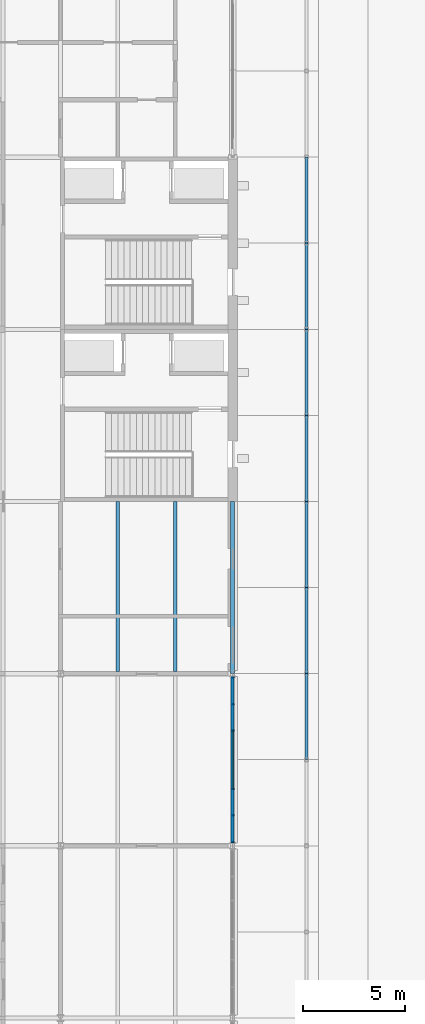
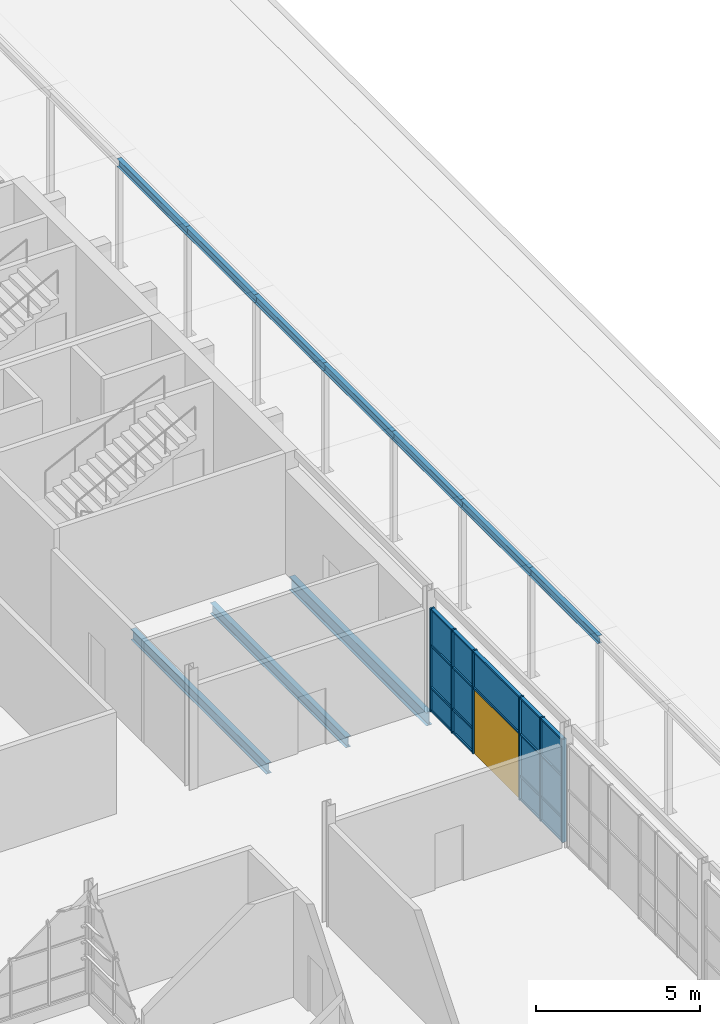
# One storey, part 65 of 116: 24 members, 13 plates, 10 beams, 1 door, 1 opening, 1 element without a shape of its own.
"""IFC4 building model written with IfcOpenShell, lengths in metres."""

from ifc_helpers import new_model, si_unit, direction, frame, frame_2d, origin, origin_2d, place, context, subcontext, project, spatial, rectangle, i_section, extrude, material, layer, layer_set, material_profile, profile_set, type_object, element, fill, aggregate, save


model = new_model("IFC4")

# Units and contexts
model_context = context("Model", 3, precision=1e-05, world=origin(), true_north=direction((0.0, 1.0)))
body_context = subcontext(model_context, "Body", "Model", "MODEL_VIEW")
ifc_project = project(units=[si_unit("LENGTHUNIT", "METRE"), si_unit("AREAUNIT", "SQUARE_METRE"), si_unit("VOLUMEUNIT", "CUBIC_METRE"), si_unit("PLANEANGLEUNIT", "RADIAN"), si_unit("MASSUNIT", "GRAM", prefix="KILO")], contexts=[model_context])

# Site, building, storey
site_placement = place(None, origin())
site = spatial("IfcSite", under=ifc_project, at=site_placement, CompositionType="ELEMENT")
building_placement = place(site_placement, origin())
building = spatial("IfcBuilding", under=site, at=building_placement, Name="Ardhachandra Cancer Care Centre", CompositionType="ELEMENT")
storey_placement = place(building_placement, origin())
storey = spatial("IfcBuildingStorey", under=building, at=storey_placement, Name="L00", CompositionType="ELEMENT", Elevation=0.0)

# Beams
ifc_material_1 = material(Name="Steel E350 (IS 2062)", Category="steel")
ifc_material_profile_1 = material_profile(ifc_material_1, i_section(OverallWidth=0.14990234375, OverallDepth=0.297119140625, WebThickness=0.006103515625, FlangeThickness=0.00927734375, FilletRadius=0.014892578125, at=origin_2d()), Name="NPB 300x150x36.52")
ifc_profile_set_1 = profile_set([ifc_material_profile_1], Name="Steel E350 (IS 2062)")
beam_type_1 = type_object("IfcBeamType", Name="Arcade beam NPB 300x150x36.52", PredefinedType="BEAM", material=ifc_profile_set_1)
for number, where, z_axis, x_axis, name in (
    (1, (148.800048828125, 58.800048828125, 3.84521484375), (0.0, 1.0, 0.0), (-1.0, 0.0, 0.0), "Arcade beam 8"),
    (2, (148.800048828125, 63.0, 3.84521484375), (0.0, 1.0, 0.0), (-1.0, 0.0, 0.0), "Arcade beam 9"),
    (3, (148.800048828125, 67.199951171875, 3.84521484375), (0.0, 1.0, 0.0), (-1.0, 0.0, 0.0), "Arcade beam 10"),
):
    element("IfcBeam", number, at=place(storey_placement, frame(where, z_axis=z_axis, x_axis=x_axis)), inside=storey, type_object=beam_type_1, Name=name, PredefinedType="BEAM", context=body_context, shape_type="SweptSolid", body=[
        extrude(i_section(OverallWidth=0.14990234375, OverallDepth=0.297119140625, WebThickness=0.006103515625, FlangeThickness=0.00927734375, FilletRadius=0.014892578125, at=origin_2d()), origin(), (0.0, 0.0, 1.0), 4.199951171875),
    ])
beam_1_placement = place(storey_placement, frame((148.800048828125, 71.39990234375, 3.84521484375), z_axis=(0.0, 1.0, 0.0), x_axis=(-1.0, 0.0, 0.0)))
element("IfcBeam", 4, at=beam_1_placement, inside=storey, type_object=beam_type_1, Name="Arcade beam 11", PredefinedType="BEAM", context=body_context, shape_type="SweptSolid", body=[
    extrude(i_section(OverallWidth=0.14990234375, OverallDepth=0.297119140625, WebThickness=0.006103515625, FlangeThickness=0.00927734375, FilletRadius=0.014892578125, at=origin_2d()), origin(), (0.0, 0.0, 1.0), 4.2001953125),
])
for number, where, z_axis, x_axis, name in (
    (5, (148.800048828125, 75.60009765625, 3.84521484375), (0.0, 1.0, 0.0), (-1.0, 0.0, 0.0), "Arcade beam 12"),
    (6, (148.800048828125, 79.800048828125, 3.84521484375), (0.0, 1.0, 0.0), (-1.0, 0.0, 0.0), "Arcade beam 13"),
    (7, (148.800048828125, 84.0, 3.84521484375), (0.0, 1.0, 0.0), (-1.0, 0.0, 0.0), "Arcade beam 14"),
):
    element("IfcBeam", number, at=place(storey_placement, frame(where, z_axis=z_axis, x_axis=x_axis)), inside=storey, type_object=beam_type_1, Name=name, PredefinedType="BEAM", context=body_context, shape_type="SweptSolid", body=[
        extrude(i_section(OverallWidth=0.14990234375, OverallDepth=0.297119140625, WebThickness=0.006103515625, FlangeThickness=0.00927734375, FilletRadius=0.014892578125, at=origin_2d()), origin(), (0.0, 0.0, 1.0), 4.199951171875),
    ])
ifc_material_2 = material(Name="Steel E350 (IS 2062)", Category="steel")
ifc_material_profile_2 = material_profile(ifc_material_2, i_section(OverallWidth=0.179931640625, OverallDepth=0.39990234375, WebThickness=0.008544921875, FlangeThickness=0.013427734375, FilletRadius=0.02099609375, at=origin_2d()), Name="NPB 400x180x66.30")
ifc_profile_set_2 = profile_set([ifc_material_profile_2], Name="Steel E350 (IS 2062)")
beam_type_2 = type_object("IfcBeamType", Name="Beam NPB 400x180x66.30", PredefinedType="BEAM", material=ifc_profile_set_2)
for number, where, z_axis, x_axis, name in (
    (8, (139.60009765625, 63.10498046875, -0.35009765625), (0.0, 1.0, 0.0), (-1.0, 0.0, 0.0), "Secondary G16-H16@2800"),
    (9, (142.39990234375, 63.10498046875, -0.35009765625), (0.0, 1.0, 0.0), (-1.0, 0.0, 0.0), "Secondary G16-H16@5600"),
):
    element("IfcBeam", number, at=place(storey_placement, frame(where, z_axis=z_axis, x_axis=x_axis)), inside=storey, type_object=beam_type_2, Name=name, PredefinedType="BEAM", context=body_context, shape_type="SweptSolid", body=[
        extrude(i_section(OverallWidth=0.179931640625, OverallDepth=0.39990234375, WebThickness=0.008544921875, FlangeThickness=0.013427734375, FilletRadius=0.02099609375, at=origin_2d()), origin(), (0.0, 0.0, 1.0), 8.294921875),
    ])
ifc_material_3 = material(Name="Steel E350 (IS 2062)", Category="steel")
ifc_material_profile_3 = material_profile(ifc_material_3, i_section(OverallWidth=0.199951171875, OverallDepth=0.5, WebThickness=0.01025390625, FlangeThickness=0.01611328125, FilletRadius=0.02099609375, at=origin_2d()), Name="NPB 500x200x90.68")
ifc_profile_set_3 = profile_set([ifc_material_profile_3], Name="Steel E350 (IS 2062)")
beam_type_3 = type_object("IfcBeamType", Name="Beam NPB 500x200x90.68", PredefinedType="BEAM", material=ifc_profile_set_3)
beam_2_placement = place(storey_placement, frame((145.199951171875, 63.0, -0.39990234375), z_axis=(0.0, 1.0, 0.0), x_axis=(-1.0, 0.0, 0.0)))
element("IfcBeam", 10, at=beam_2_placement, inside=storey, type_object=beam_type_3, Name="Edge girder G17-H17", PredefinedType="BEAM", context=body_context, shape_type="SweptSolid", body=[
    extrude(i_section(OverallWidth=0.199951171875, OverallDepth=0.5, WebThickness=0.01025390625, FlangeThickness=0.01611328125, FilletRadius=0.02099609375, at=origin_2d()), origin(), (0.0, 0.0, 1.0), 8.39990234375),
])

# Curtain wall, opening, members, plates, door
ifc_material_4 = material(Name="Aluminium extrusion", Category="aluminium")
ifc_layer_1 = layer(ifc_material_4, 0.14990234375)
ifc_layer_set_1 = layer_set([ifc_layer_1], Name="Aluminium extrusion")
curtain_wall_type = type_object("IfcCurtainWallType", Name="Curtain wall run", PredefinedType="NOTDEFINED", material=ifc_layer_set_1)
curtain_wall_placement = place(storey_placement, frame((145.199951171875, 54.7451171875, 0.0), z_axis=(0.0, 0.0, 1.0), x_axis=(0.0, 1.0, 0.0)))
curtain_wall = element("IfcCurtainWall", 11, at=curtain_wall_placement, inside=storey, type_object=curtain_wall_type, Name="Curtain wall L00 e/0145200_0054600", PredefinedType="NOTDEFINED")
opening_placement = place(curtain_wall_placement, frame((2.655029296875, 0.0, 0.0)))
opening = element("IfcOpeningElement", 12, at=opening_placement, cuts=curtain_wall, Name="Opening L00-X04", PredefinedType="OPENING", context=body_context, shape_type="SweptSolid", body=[
    extrude(rectangle(XDim=2.800048828125, YDim=2.39990234375, at=frame_2d((1.39990234375, 1.199951171875))), frame((0.0, 0.0849609375, 0.0), z_axis=(0.0, -1.0, 0.0), x_axis=(1.0, 0.0, 0.0)), (0.0, 0.0, 1.0), 0.169921875),
])
ifc_material_5 = material(Name="Aluminium extrusion", Category="aluminium")
ifc_material_profile_4 = material_profile(ifc_material_5, rectangle(XDim=0.159912109375, YDim=0.06005859375, at=origin_2d()), Name="Curtain wall mullion 60 x 160")
ifc_profile_set_4 = profile_set([ifc_material_profile_4], Name="Aluminium extrusion")
member_type_1 = type_object("IfcMemberType", Name="Curtain wall mullion 60 x 160", PredefinedType="MULLION", material=ifc_profile_set_4)
member_1_placement = place(storey_placement, frame((145.199951171875, 54.77490234375, 0.0), z_axis=(0.0, 0.0, 1.0), x_axis=(-1.0, 0.0, 0.0)))
member_1 = element("IfcMember", 13, at=member_1_placement, type_object=member_type_1, Name="CW mullion 1", PredefinedType="MULLION", context=body_context, shape_type="SweptSolid", body=[
    extrude(rectangle(XDim=0.159912109375, YDim=0.06005859375, at=origin_2d()), origin(), (0.0, 0.0, 1.0), 3.85009765625),
])
member_2_placement = place(storey_placement, frame((145.199951171875, 56.0966796875, 0.0), z_axis=(0.0, 0.0, 1.0), x_axis=(-1.0, 0.0, 0.0)))
member_2 = element("IfcMember", 14, at=member_2_placement, type_object=member_type_1, Name="CW mullion 2", PredefinedType="MULLION", context=body_context, shape_type="SweptSolid", body=[
    extrude(rectangle(XDim=0.159912109375, YDim=0.06005859375, at=origin_2d()), origin(), (0.0, 0.0, 1.0), 3.85009765625),
])
member_3_placement = place(storey_placement, frame((145.199951171875, 57.3701171875, 0.0), z_axis=(0.0, 0.0, 1.0), x_axis=(-1.0, 0.0, 0.0)))
member_3 = element("IfcMember", 15, at=member_3_placement, type_object=member_type_1, Name="CW mullion 3", PredefinedType="MULLION", context=body_context, shape_type="SweptSolid", body=[
    extrude(rectangle(XDim=0.159912109375, YDim=0.06005859375, at=origin_2d()), origin(), (0.0, 0.0, 1.0), 3.85009765625),
])
member_4_placement = place(storey_placement, frame((145.199951171875, 60.22998046875, 0.0), z_axis=(0.0, 0.0, 1.0), x_axis=(-1.0, 0.0, 0.0)))
member_4 = element("IfcMember", 16, at=member_4_placement, type_object=member_type_1, Name="CW mullion 4", PredefinedType="MULLION", context=body_context, shape_type="SweptSolid", body=[
    extrude(rectangle(XDim=0.159912109375, YDim=0.06005859375, at=origin_2d()), origin(), (0.0, 0.0, 1.0), 3.85009765625),
])
member_5_placement = place(storey_placement, frame((145.199951171875, 61.50341796875, 0.0), z_axis=(0.0, 0.0, 1.0), x_axis=(-1.0, 0.0, 0.0)))
member_5 = element("IfcMember", 17, at=member_5_placement, type_object=member_type_1, Name="CW mullion 5", PredefinedType="MULLION", context=body_context, shape_type="SweptSolid", body=[
    extrude(rectangle(XDim=0.159912109375, YDim=0.06005859375, at=origin_2d()), origin(), (0.0, 0.0, 1.0), 3.85009765625),
])
member_6_placement = place(storey_placement, frame((145.199951171875, 62.824951171875, 0.0), z_axis=(0.0, 0.0, 1.0), x_axis=(-1.0, 0.0, 0.0)))
member_6 = element("IfcMember", 18, at=member_6_placement, type_object=member_type_1, Name="CW mullion 6", PredefinedType="MULLION", context=body_context, shape_type="SweptSolid", body=[
    extrude(rectangle(XDim=0.159912109375, YDim=0.06005859375, at=origin_2d()), origin(), (0.0, 0.0, 1.0), 3.85009765625),
])
ifc_material_6 = material(Name="Aluminium extrusion", Category="aluminium")
ifc_material_profile_5 = material_profile(ifc_material_6, rectangle(XDim=0.1201171875, YDim=0.06005859375, at=origin_2d()), Name="Curtain wall transom 60 x 120")
ifc_profile_set_5 = profile_set([ifc_material_profile_5], Name="Aluminium extrusion")
member_type_2 = type_object("IfcMemberType", Name="Curtain wall transom 60 x 120", PredefinedType="USERDEFINED", material=ifc_profile_set_5)
member_7_placement = place(storey_placement, frame((145.199951171875, 54.804931640625, 0.030029296875), z_axis=(0.0, 1.0, 0.0), x_axis=(-1.0, 0.0, 0.0)))
member_7 = element("IfcMember", 19, at=member_7_placement, type_object=member_type_2, Name="CW transom 1.1", ObjectType="TRANSOM", PredefinedType="USERDEFINED", context=body_context, shape_type="SweptSolid", body=[
    extrude(rectangle(XDim=0.1201171875, YDim=0.06005859375, at=origin_2d()), origin(), (0.0, 0.0, 1.0), 1.26171875),
])
member_8_placement = place(storey_placement, frame((145.199951171875, 54.804931640625, 0.89990234375), z_axis=(0.0, 1.0, 0.0), x_axis=(-1.0, 0.0, 0.0)))
member_8 = element("IfcMember", 20, at=member_8_placement, type_object=member_type_2, Name="CW transom 1.2", ObjectType="TRANSOM", PredefinedType="USERDEFINED", context=body_context, shape_type="SweptSolid", body=[
    extrude(rectangle(XDim=0.1201171875, YDim=0.06005859375, at=origin_2d()), origin(), (0.0, 0.0, 1.0), 1.26171875),
])
member_9_placement = place(storey_placement, frame((145.199951171875, 54.804931640625, 2.4599609375), z_axis=(0.0, 1.0, 0.0), x_axis=(-1.0, 0.0, 0.0)))
member_9 = element("IfcMember", 21, at=member_9_placement, type_object=member_type_2, Name="CW transom 1.3", ObjectType="TRANSOM", PredefinedType="USERDEFINED", context=body_context, shape_type="SweptSolid", body=[
    extrude(rectangle(XDim=0.1201171875, YDim=0.06005859375, at=origin_2d()), origin(), (0.0, 0.0, 1.0), 1.26171875),
])
member_10_placement = place(storey_placement, frame((145.199951171875, 54.804931640625, 3.820068359375), z_axis=(0.0, 1.0, 0.0), x_axis=(-1.0, 0.0, 0.0)))
member_10 = element("IfcMember", 22, at=member_10_placement, type_object=member_type_2, Name="CW transom 1.4", ObjectType="TRANSOM", PredefinedType="USERDEFINED", context=body_context, shape_type="SweptSolid", body=[
    extrude(rectangle(XDim=0.1201171875, YDim=0.06005859375, at=origin_2d()), origin(), (0.0, 0.0, 1.0), 1.26171875),
])
member_11_placement = place(storey_placement, frame((145.199951171875, 56.126708984375, 0.030029296875), z_axis=(0.0, 1.0, 0.0), x_axis=(-1.0, 0.0, 0.0)))
member_11 = element("IfcMember", 23, at=member_11_placement, type_object=member_type_2, Name="CW transom 2.1", ObjectType="TRANSOM", PredefinedType="USERDEFINED", context=body_context, shape_type="SweptSolid", body=[
    extrude(rectangle(XDim=0.1201171875, YDim=0.06005859375, at=origin_2d()), origin(), (0.0, 0.0, 1.0), 1.21337890625),
])
member_12_placement = place(storey_placement, frame((145.199951171875, 56.126708984375, 0.89990234375), z_axis=(0.0, 1.0, 0.0), x_axis=(-1.0, 0.0, 0.0)))
member_12 = element("IfcMember", 24, at=member_12_placement, type_object=member_type_2, Name="CW transom 2.2", ObjectType="TRANSOM", PredefinedType="USERDEFINED", context=body_context, shape_type="SweptSolid", body=[
    extrude(rectangle(XDim=0.1201171875, YDim=0.06005859375, at=origin_2d()), origin(), (0.0, 0.0, 1.0), 1.21337890625),
])
member_13_placement = place(storey_placement, frame((145.199951171875, 56.126708984375, 2.4599609375), z_axis=(0.0, 1.0, 0.0), x_axis=(-1.0, 0.0, 0.0)))
member_13 = element("IfcMember", 25, at=member_13_placement, type_object=member_type_2, Name="CW transom 2.3", ObjectType="TRANSOM", PredefinedType="USERDEFINED", context=body_context, shape_type="SweptSolid", body=[
    extrude(rectangle(XDim=0.1201171875, YDim=0.06005859375, at=origin_2d()), origin(), (0.0, 0.0, 1.0), 1.21337890625),
])
member_14_placement = place(storey_placement, frame((145.199951171875, 56.126708984375, 3.820068359375), z_axis=(0.0, 1.0, 0.0), x_axis=(-1.0, 0.0, 0.0)))
member_14 = element("IfcMember", 26, at=member_14_placement, type_object=member_type_2, Name="CW transom 2.4", ObjectType="TRANSOM", PredefinedType="USERDEFINED", context=body_context, shape_type="SweptSolid", body=[
    extrude(rectangle(XDim=0.1201171875, YDim=0.06005859375, at=origin_2d()), origin(), (0.0, 0.0, 1.0), 1.21337890625),
])
member_15_placement = place(storey_placement, frame((145.199951171875, 57.39990234375, 2.4599609375), z_axis=(0.0, 1.0, 0.0), x_axis=(-1.0, 0.0, 0.0)))
member_15 = element("IfcMember", 27, at=member_15_placement, type_object=member_type_2, Name="CW transom 3.1", ObjectType="TRANSOM", PredefinedType="USERDEFINED", context=body_context, shape_type="SweptSolid", body=[
    extrude(rectangle(XDim=0.1201171875, YDim=0.06005859375, at=origin_2d()), origin(), (0.0, 0.0, 1.0), 2.800048828125),
])
member_16_placement = place(storey_placement, frame((145.199951171875, 57.39990234375, 3.820068359375), z_axis=(0.0, 1.0, 0.0), x_axis=(-1.0, 0.0, 0.0)))
member_16 = element("IfcMember", 28, at=member_16_placement, type_object=member_type_2, Name="CW transom 3.2", ObjectType="TRANSOM", PredefinedType="USERDEFINED", context=body_context, shape_type="SweptSolid", body=[
    extrude(rectangle(XDim=0.1201171875, YDim=0.06005859375, at=origin_2d()), origin(), (0.0, 0.0, 1.0), 2.800048828125),
])
member_17_placement = place(storey_placement, frame((145.199951171875, 60.260009765625, 0.030029296875), z_axis=(0.0, 1.0, 0.0), x_axis=(-1.0, 0.0, 0.0)))
member_17 = element("IfcMember", 29, at=member_17_placement, type_object=member_type_2, Name="CW transom 4.1", ObjectType="TRANSOM", PredefinedType="USERDEFINED", context=body_context, shape_type="SweptSolid", body=[
    extrude(rectangle(XDim=0.1201171875, YDim=0.06005859375, at=origin_2d()), origin(), (0.0, 0.0, 1.0), 1.21337890625),
])
member_18_placement = place(storey_placement, frame((145.199951171875, 60.260009765625, 0.89990234375), z_axis=(0.0, 1.0, 0.0), x_axis=(-1.0, 0.0, 0.0)))
member_18 = element("IfcMember", 30, at=member_18_placement, type_object=member_type_2, Name="CW transom 4.2", ObjectType="TRANSOM", PredefinedType="USERDEFINED", context=body_context, shape_type="SweptSolid", body=[
    extrude(rectangle(XDim=0.1201171875, YDim=0.06005859375, at=origin_2d()), origin(), (0.0, 0.0, 1.0), 1.21337890625),
])
member_19_placement = place(storey_placement, frame((145.199951171875, 60.260009765625, 2.4599609375), z_axis=(0.0, 1.0, 0.0), x_axis=(-1.0, 0.0, 0.0)))
member_19 = element("IfcMember", 31, at=member_19_placement, type_object=member_type_2, Name="CW transom 4.3", ObjectType="TRANSOM", PredefinedType="USERDEFINED", context=body_context, shape_type="SweptSolid", body=[
    extrude(rectangle(XDim=0.1201171875, YDim=0.06005859375, at=origin_2d()), origin(), (0.0, 0.0, 1.0), 1.21337890625),
])
member_20_placement = place(storey_placement, frame((145.199951171875, 60.260009765625, 3.820068359375), z_axis=(0.0, 1.0, 0.0), x_axis=(-1.0, 0.0, 0.0)))
member_20 = element("IfcMember", 32, at=member_20_placement, type_object=member_type_2, Name="CW transom 4.4", ObjectType="TRANSOM", PredefinedType="USERDEFINED", context=body_context, shape_type="SweptSolid", body=[
    extrude(rectangle(XDim=0.1201171875, YDim=0.06005859375, at=origin_2d()), origin(), (0.0, 0.0, 1.0), 1.21337890625),
])
member_21_placement = place(storey_placement, frame((145.199951171875, 61.533203125, 0.030029296875), z_axis=(0.0, 1.0, 0.0), x_axis=(-1.0, 0.0, 0.0)))
member_21 = element("IfcMember", 33, at=member_21_placement, type_object=member_type_2, Name="CW transom 5.1", ObjectType="TRANSOM", PredefinedType="USERDEFINED", context=body_context, shape_type="SweptSolid", body=[
    extrude(rectangle(XDim=0.1201171875, YDim=0.06005859375, at=origin_2d()), origin(), (0.0, 0.0, 1.0), 1.26171875),
])
member_22_placement = place(storey_placement, frame((145.199951171875, 61.533203125, 0.89990234375), z_axis=(0.0, 1.0, 0.0), x_axis=(-1.0, 0.0, 0.0)))
member_22 = element("IfcMember", 34, at=member_22_placement, type_object=member_type_2, Name="CW transom 5.2", ObjectType="TRANSOM", PredefinedType="USERDEFINED", context=body_context, shape_type="SweptSolid", body=[
    extrude(rectangle(XDim=0.1201171875, YDim=0.06005859375, at=origin_2d()), origin(), (0.0, 0.0, 1.0), 1.26171875),
])
member_23_placement = place(storey_placement, frame((145.199951171875, 61.533203125, 2.4599609375), z_axis=(0.0, 1.0, 0.0), x_axis=(-1.0, 0.0, 0.0)))
member_23 = element("IfcMember", 35, at=member_23_placement, type_object=member_type_2, Name="CW transom 5.3", ObjectType="TRANSOM", PredefinedType="USERDEFINED", context=body_context, shape_type="SweptSolid", body=[
    extrude(rectangle(XDim=0.1201171875, YDim=0.06005859375, at=origin_2d()), origin(), (0.0, 0.0, 1.0), 1.26171875),
])
member_24_placement = place(storey_placement, frame((145.199951171875, 61.533203125, 3.820068359375), z_axis=(0.0, 1.0, 0.0), x_axis=(-1.0, 0.0, 0.0)))
member_24 = element("IfcMember", 36, at=member_24_placement, type_object=member_type_2, Name="CW transom 5.4", ObjectType="TRANSOM", PredefinedType="USERDEFINED", context=body_context, shape_type="SweptSolid", body=[
    extrude(rectangle(XDim=0.1201171875, YDim=0.06005859375, at=origin_2d()), origin(), (0.0, 0.0, 1.0), 1.26171875),
])
ifc_material_7 = material(Name="Low-iron double-glazed unit")
ifc_layer_2 = layer(ifc_material_7, 0.028076171875)
ifc_layer_set_2 = layer_set([ifc_layer_2], Name="Low-iron double-glazed unit")
plate_type_1 = type_object("IfcPlateType", Name="Curtain wall glazing 28", PredefinedType="CURTAIN_PANEL", material=ifc_layer_set_2)
plate_1_placement = place(storey_placement, frame((145.199951171875, 55.435791015625, 0.929931640625), z_axis=(0.0, 0.0, 1.0), x_axis=(0.0, 1.0, 0.0)))
plate_1 = element("IfcPlate", 37, at=plate_1_placement, type_object=plate_type_1, Name="CW panel 1.2", PredefinedType="CURTAIN_PANEL", context=body_context, shape_type="SweptSolid", body=[
    extrude(rectangle(XDim=1.26171875, YDim=0.028076171875, at=origin_2d()), origin(), (0.0, 0.0, 1.0), 1.5),
])
plate_2_placement = place(storey_placement, frame((145.199951171875, 55.435791015625, 2.48974609375), z_axis=(0.0, 0.0, 1.0), x_axis=(0.0, 1.0, 0.0)))
plate_2 = element("IfcPlate", 38, at=plate_2_placement, type_object=plate_type_1, Name="CW panel 1.3", PredefinedType="CURTAIN_PANEL", context=body_context, shape_type="SweptSolid", body=[
    extrude(rectangle(XDim=1.26171875, YDim=0.028076171875, at=origin_2d()), origin(), (0.0, 0.0, 1.0), 1.300048828125),
])
plate_3_placement = place(storey_placement, frame((145.199951171875, 56.7333984375, 0.929931640625), z_axis=(0.0, 0.0, 1.0), x_axis=(0.0, 1.0, 0.0)))
plate_3 = element("IfcPlate", 39, at=plate_3_placement, type_object=plate_type_1, Name="CW panel 2.2", PredefinedType="CURTAIN_PANEL", context=body_context, shape_type="SweptSolid", body=[
    extrude(rectangle(XDim=1.21337890625, YDim=0.028076171875, at=origin_2d()), origin(), (0.0, 0.0, 1.0), 1.5),
])
plate_4_placement = place(storey_placement, frame((145.199951171875, 56.7333984375, 2.48974609375), z_axis=(0.0, 0.0, 1.0), x_axis=(0.0, 1.0, 0.0)))
plate_4 = element("IfcPlate", 40, at=plate_4_placement, type_object=plate_type_1, Name="CW panel 2.3", PredefinedType="CURTAIN_PANEL", context=body_context, shape_type="SweptSolid", body=[
    extrude(rectangle(XDim=1.21337890625, YDim=0.028076171875, at=origin_2d()), origin(), (0.0, 0.0, 1.0), 1.300048828125),
])
plate_5_placement = place(storey_placement, frame((145.199951171875, 58.800048828125, 2.48974609375), z_axis=(0.0, 0.0, 1.0), x_axis=(0.0, 1.0, 0.0)))
plate_5 = element("IfcPlate", 41, at=plate_5_placement, type_object=plate_type_1, Name="CW panel 3.1", PredefinedType="CURTAIN_PANEL", context=body_context, shape_type="SweptSolid", body=[
    extrude(rectangle(XDim=2.800048828125, YDim=0.028076171875, at=origin_2d()), origin(), (0.0, 0.0, 1.0), 1.300048828125),
])
plate_6_placement = place(storey_placement, frame((145.199951171875, 60.86669921875, 0.929931640625), z_axis=(0.0, 0.0, 1.0), x_axis=(0.0, 1.0, 0.0)))
plate_6 = element("IfcPlate", 42, at=plate_6_placement, type_object=plate_type_1, Name="CW panel 4.2", PredefinedType="CURTAIN_PANEL", context=body_context, shape_type="SweptSolid", body=[
    extrude(rectangle(XDim=1.21337890625, YDim=0.028076171875, at=origin_2d()), origin(), (0.0, 0.0, 1.0), 1.5),
])
plate_7_placement = place(storey_placement, frame((145.199951171875, 60.86669921875, 2.48974609375), z_axis=(0.0, 0.0, 1.0), x_axis=(0.0, 1.0, 0.0)))
plate_7 = element("IfcPlate", 43, at=plate_7_placement, type_object=plate_type_1, Name="CW panel 4.3", PredefinedType="CURTAIN_PANEL", context=body_context, shape_type="SweptSolid", body=[
    extrude(rectangle(XDim=1.21337890625, YDim=0.028076171875, at=origin_2d()), origin(), (0.0, 0.0, 1.0), 1.300048828125),
])
plate_8_placement = place(storey_placement, frame((145.199951171875, 62.1640625, 0.929931640625), z_axis=(0.0, 0.0, 1.0), x_axis=(0.0, 1.0, 0.0)))
plate_8 = element("IfcPlate", 44, at=plate_8_placement, type_object=plate_type_1, Name="CW panel 5.2", PredefinedType="CURTAIN_PANEL", context=body_context, shape_type="SweptSolid", body=[
    extrude(rectangle(XDim=1.26171875, YDim=0.028076171875, at=origin_2d()), origin(), (0.0, 0.0, 1.0), 1.5),
])
plate_9_placement = place(storey_placement, frame((145.199951171875, 62.1640625, 2.48974609375), z_axis=(0.0, 0.0, 1.0), x_axis=(0.0, 1.0, 0.0)))
plate_9 = element("IfcPlate", 45, at=plate_9_placement, type_object=plate_type_1, Name="CW panel 5.3", PredefinedType="CURTAIN_PANEL", context=body_context, shape_type="SweptSolid", body=[
    extrude(rectangle(XDim=1.26171875, YDim=0.028076171875, at=origin_2d()), origin(), (0.0, 0.0, 1.0), 1.300048828125),
])
ifc_material_8 = material(Name="Aluminium composite spandrel panel", Category="aluminium")
ifc_layer_3 = layer(ifc_material_8, 0.028076171875)
ifc_layer_set_3 = layer_set([ifc_layer_3], Name="Aluminium composite spandrel panel")
plate_type_2 = type_object("IfcPlateType", Name="Curtain wall spandrel panel 28", PredefinedType="CURTAIN_PANEL", material=ifc_layer_set_3)
plate_10_placement = place(storey_placement, frame((145.199951171875, 55.435791015625, 0.06005859375), z_axis=(0.0, 0.0, 1.0), x_axis=(0.0, 1.0, 0.0)))
plate_10 = element("IfcPlate", 46, at=plate_10_placement, type_object=plate_type_2, Name="CW panel 1.1", PredefinedType="CURTAIN_PANEL", context=body_context, shape_type="SweptSolid", body=[
    extrude(rectangle(XDim=1.26171875, YDim=0.028076171875, at=origin_2d()), origin(), (0.0, 0.0, 1.0), 0.81005859375),
])
plate_11_placement = place(storey_placement, frame((145.199951171875, 56.7333984375, 0.06005859375), z_axis=(0.0, 0.0, 1.0), x_axis=(0.0, 1.0, 0.0)))
plate_11 = element("IfcPlate", 47, at=plate_11_placement, type_object=plate_type_2, Name="CW panel 2.1", PredefinedType="CURTAIN_PANEL", context=body_context, shape_type="SweptSolid", body=[
    extrude(rectangle(XDim=1.21337890625, YDim=0.028076171875, at=origin_2d()), origin(), (0.0, 0.0, 1.0), 0.81005859375),
])
plate_12_placement = place(storey_placement, frame((145.199951171875, 60.86669921875, 0.06005859375), z_axis=(0.0, 0.0, 1.0), x_axis=(0.0, 1.0, 0.0)))
plate_12 = element("IfcPlate", 48, at=plate_12_placement, type_object=plate_type_2, Name="CW panel 4.1", PredefinedType="CURTAIN_PANEL", context=body_context, shape_type="SweptSolid", body=[
    extrude(rectangle(XDim=1.21337890625, YDim=0.028076171875, at=origin_2d()), origin(), (0.0, 0.0, 1.0), 0.81005859375),
])
plate_13_placement = place(storey_placement, frame((145.199951171875, 62.1640625, 0.06005859375), z_axis=(0.0, 0.0, 1.0), x_axis=(0.0, 1.0, 0.0)))
plate_13 = element("IfcPlate", 49, at=plate_13_placement, type_object=plate_type_2, Name="CW panel 5.1", PredefinedType="CURTAIN_PANEL", context=body_context, shape_type="SweptSolid", body=[
    extrude(rectangle(XDim=1.26171875, YDim=0.028076171875, at=origin_2d()), origin(), (0.0, 0.0, 1.0), 0.81005859375),
])
aggregate(curtain_wall, [member_1, member_2, member_3, member_4, member_5, member_6, member_7, member_8, member_9, member_10, plate_10, plate_1, plate_2, member_11, member_12, member_13, member_14, plate_11, plate_3, plate_4, member_15, member_16, plate_5, member_17, member_18, member_19, member_20, plate_12, plate_6, plate_7, member_21, member_22, member_23, member_24, plate_13, plate_8, plate_9])
ifc_material_9 = material(Name="Aluminium frame with toughened glass", Category="aluminium")
door_type = type_object("IfcDoorType", Name="Entrance door pair 2800 x 2400", OperationType="SLIDING_TO_LEFT", PredefinedType="DOOR", material=ifc_material_9)
door_placement = place(opening_placement, origin())
door = element("IfcDoor", 50, at=door_placement, inside=storey, type_object=door_type, Name="Main Entrance L00-X04", OperationType="SINGLE_SWING_LEFT", OverallHeight=2.39990234375, OverallWidth=2.800048828125, PredefinedType="DOOR", context=body_context, shape_type="SweptSolid", body=[
    extrude(rectangle(XDim=2.800048828125, YDim=2.39990234375, at=frame_2d((1.39990234375, 1.199951171875))), frame((0.0, 0.02490234375, 0.0), z_axis=(0.0, -1.0, 0.0), x_axis=(1.0, 0.0, 0.0)), (0.0, 0.0, 1.0), 0.050048828125),
])
fill(opening, door)

save(model, "model.ifc")
